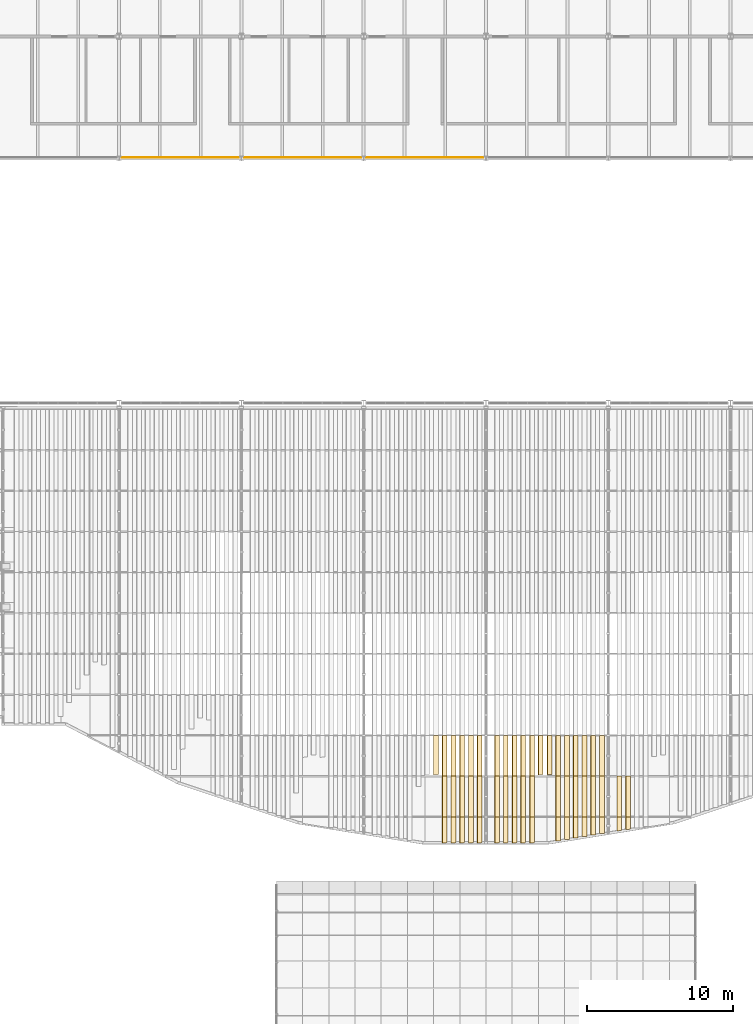
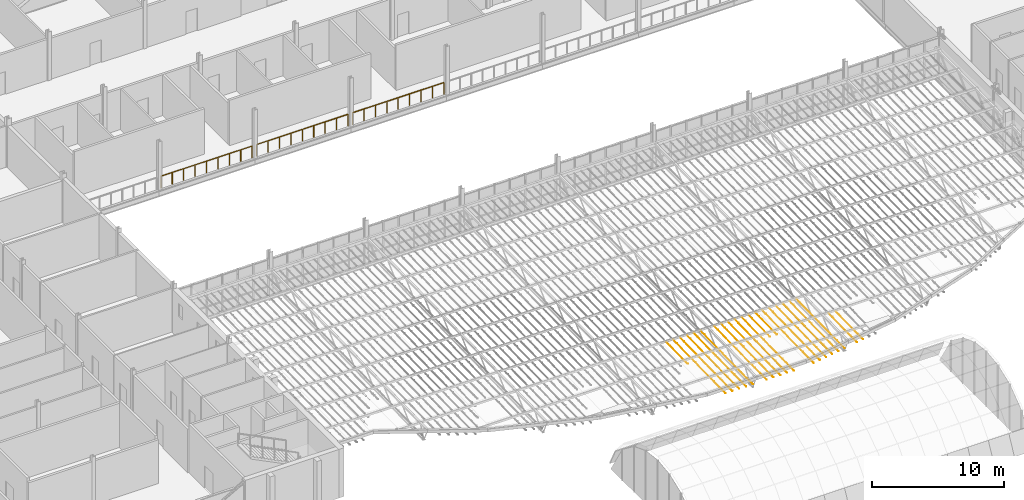
# One storey, part 120 of 129: 55 coverings, 3 railings.
"""IFC4 building model written with IfcOpenShell, lengths in metres."""

from ifc_helpers import new_model, si_unit, direction, frame, origin, origin_2d, place, context, subcontext, project, spatial, polyline, circle, outline, extrude, material, material_profile, profile_set, type_object, element, save


model = new_model("IFC4")

# Units and contexts
model_context = context("Model", 3, precision=1e-05, world=origin(), true_north=direction((0.0, 1.0)))
body_context = subcontext(model_context, "Body", "Model", "MODEL_VIEW")
ifc_project = project(units=[si_unit("LENGTHUNIT", "METRE"), si_unit("AREAUNIT", "SQUARE_METRE"), si_unit("VOLUMEUNIT", "CUBIC_METRE"), si_unit("PLANEANGLEUNIT", "RADIAN"), si_unit("MASSUNIT", "GRAM", prefix="KILO")], contexts=[model_context])

# Site, building, storey
site_placement = place(None, origin())
site = spatial("IfcSite", under=ifc_project, at=site_placement, CompositionType="ELEMENT")
building_placement = place(site_placement, origin())
building = spatial("IfcBuilding", under=site, at=building_placement, Name="Ardhachandra Cancer Care Centre", CompositionType="ELEMENT")
storey_placement = place(building_placement, frame((0.0, 0.0, 4.5)))
storey = spatial("IfcBuildingStorey", under=building, at=storey_placement, Name="L01", CompositionType="ELEMENT", Elevation=4.5)

# Railings
ifc_material_1 = material(Name="Steel E250 (IS 2062)", Category="steel")
railing_type = type_object("IfcRailingType", Name="Guard 1100", PredefinedType="GUARDRAIL", material=ifc_material_1)
for number, where, name in (
    (1, (53.0, 71.47998046875, 0.0), "Gallery guard 2"),
    (2, (61.39990234375, 71.47998046875, 0.0), "Gallery guard 3"),
    (3, (69.800048828125, 71.47998046875, 0.0), "Gallery guard 4"),
):
    element("IfcRailing", number, at=place(storey_placement, frame(where)), inside=storey, type_object=railing_type, Name=name, PredefinedType="GUARDRAIL", context=body_context, shape_type="SweptSolid", body=[
        extrude(circle(Radius=0.02392578125, at=origin_2d()), frame((0.0, 0.0, 1.076171875), z_axis=(1.0, 0.0, 0.0), x_axis=(0.0, 1.0, 0.0)), (0.0, 0.0, 1.0), 8.0),
        extrude(circle(Radius=0.02099609375, at=origin_2d()), origin(), (0.0, 0.0, 1.0), 1.052001953125),
        extrude(circle(Radius=0.02099609375, at=origin_2d()), frame((1.0, 0.0, 0.0)), (0.0, 0.0, 1.0), 1.052001953125),
        extrude(circle(Radius=0.02099609375, at=origin_2d()), frame((2.0, 0.0, 0.0)), (0.0, 0.0, 1.0), 1.052001953125),
        extrude(circle(Radius=0.02099609375, at=origin_2d()), frame((3.0, 0.0, 0.0)), (0.0, 0.0, 1.0), 1.052001953125),
        extrude(circle(Radius=0.02099609375, at=origin_2d()), frame((4.0, 0.0, 0.0)), (0.0, 0.0, 1.0), 1.052001953125),
        extrude(circle(Radius=0.02099609375, at=origin_2d()), frame((5.0, 0.0, 0.0)), (0.0, 0.0, 1.0), 1.052001953125),
        extrude(circle(Radius=0.02099609375, at=origin_2d()), frame((6.0, 0.0, 0.0)), (0.0, 0.0, 1.0), 1.052001953125),
        extrude(circle(Radius=0.02099609375, at=origin_2d()), frame((7.0, 0.0, 0.0)), (0.0, 0.0, 1.0), 1.052001953125),
        extrude(circle(Radius=0.02099609375, at=origin_2d()), frame((8.0, 0.0, 0.0)), (0.0, 0.0, 1.0), 1.052001953125),
    ])

# Coverings
ifc_material_2 = material(Name="Anodised aluminium", Category="aluminium")
ifc_material_profile = material_profile(ifc_material_2, outline(polyline([(-0.01220703125, 0.0), (0.01220703125, 0.0), (0.327392578125, -0.449951171875), (0.302978515625, -0.449951171875), (-0.01220703125, 0.0)])), Name="Louvre fin 450")
ifc_profile_set = profile_set([ifc_material_profile], Name="Anodised aluminium")
covering_type = type_object("IfcCoveringType", Name="Louvre fin 450", PredefinedType="CLADDING", material=ifc_profile_set)
covering_1_placement = place(storey_placement, frame((74.39990234375, 31.77490234375, 2.29541015625), z_axis=(0.0, -0.999800385179, -0.019979734617), x_axis=(1.0, 0.0, 0.0)))
element("IfcCovering", 4, at=covering_1_placement, inside=storey, type_object=covering_type, Name="Louvre fin 50-9", PredefinedType="CLADDING", context=body_context, shape_type="SweptSolid", body=[
    extrude(outline(polyline([(-0.01220703125, 0.0), (0.01220703125, 0.0), (0.327392578125, -0.449951171875), (0.302978515625, -0.449951171875), (-0.01220703125, 0.0)])), origin(), (0.0, 0.0, 1.0), 2.700439453125),
])
covering_2_placement = place(storey_placement, frame((75.0, 31.77490234375, 2.29541015625), z_axis=(0.0, -0.999800686946, -0.019964628297), x_axis=(1.0, 0.0, 0.0)))
element("IfcCovering", 5, at=covering_2_placement, inside=storey, type_object=covering_type, Name="Louvre fin 51-9", PredefinedType="CLADDING", context=body_context, shape_type="SweptSolid", body=[
    extrude(outline(polyline([(-0.01220703125, 0.0), (0.01220703125, 0.0), (0.327392578125, -0.449951171875), (0.302978515625, -0.449951171875), (-0.01220703125, 0.0)])), origin(), (0.0, 0.0, 1.0), 2.80029296875),
])
covering_3_placement = place(storey_placement, frame((75.0, 28.97509765625, 2.239501953125), z_axis=(0.0, -0.999800721691, -0.019962888244), x_axis=(1.0, 0.0, 0.0)))
element("IfcCovering", 6, at=covering_3_placement, inside=storey, type_object=covering_type, Name="Louvre fin 51-10", PredefinedType="CLADDING", context=body_context, shape_type="SweptSolid", body=[
    extrude(outline(polyline([(-0.01220703125, 0.0), (0.01220703125, 0.0), (0.327392578125, -0.449951171875), (0.302978515625, -0.449951171875), (-0.01220703125, 0.0)])), origin(), (0.0, 0.0, 1.0), 2.800537109375),
])
covering_4_placement = place(storey_placement, frame((75.0, 26.175048828125, 2.18359375), z_axis=(0.0, -0.999799180906, -0.020039906701), x_axis=(1.0, 0.0, 0.0)))
element("IfcCovering", 7, at=covering_4_placement, inside=storey, type_object=covering_type, Name="Louvre fin 51-11", PredefinedType="CLADDING", context=body_context, shape_type="SweptSolid", body=[
    extrude(outline(polyline([(-0.01220703125, 0.0), (0.01220703125, 0.0), (0.327392578125, -0.449951171875), (0.302978515625, -0.449951171875), (-0.01220703125, 0.0)])), origin(), (0.0, 0.0, 1.0), 1.778564453125),
])
covering_5_placement = place(storey_placement, frame((75.60009765625, 31.77490234375, 2.29541015625), z_axis=(0.0, -0.999800686946, -0.019964628297), x_axis=(1.0, 0.0, 0.0)))
element("IfcCovering", 8, at=covering_5_placement, inside=storey, type_object=covering_type, Name="Louvre fin 52-9", PredefinedType="CLADDING", context=body_context, shape_type="SweptSolid", body=[
    extrude(outline(polyline([(-0.01220703125, 0.0), (0.01220703125, 0.0), (0.327392578125, -0.449951171875), (0.302978515625, -0.449951171875), (-0.01220703125, 0.0)])), origin(), (0.0, 0.0, 1.0), 2.80029296875),
])
covering_6_placement = place(storey_placement, frame((75.60009765625, 28.97509765625, 2.239501953125), z_axis=(0.0, -0.999800721691, -0.019962888244), x_axis=(1.0, 0.0, 0.0)))
element("IfcCovering", 9, at=covering_6_placement, inside=storey, type_object=covering_type, Name="Louvre fin 52-10", PredefinedType="CLADDING", context=body_context, shape_type="SweptSolid", body=[
    extrude(outline(polyline([(-0.01220703125, 0.0), (0.01220703125, 0.0), (0.327392578125, -0.449951171875), (0.302978515625, -0.449951171875), (-0.01220703125, 0.0)])), origin(), (0.0, 0.0, 1.0), 2.800537109375),
])
covering_7_placement = place(storey_placement, frame((75.60009765625, 26.175048828125, 2.18359375), z_axis=(0.0, -0.999799180906, -0.020039906701), x_axis=(1.0, 0.0, 0.0)))
element("IfcCovering", 10, at=covering_7_placement, inside=storey, type_object=covering_type, Name="Louvre fin 52-11", PredefinedType="CLADDING", context=body_context, shape_type="SweptSolid", body=[
    extrude(outline(polyline([(-0.01220703125, 0.0), (0.01220703125, 0.0), (0.327392578125, -0.449951171875), (0.302978515625, -0.449951171875), (-0.01220703125, 0.0)])), origin(), (0.0, 0.0, 1.0), 1.778564453125),
])
covering_8_placement = place(storey_placement, frame((76.199951171875, 31.77490234375, 2.29541015625), z_axis=(0.0, -0.999800686946, -0.019964628297), x_axis=(1.0, 0.0, 0.0)))
element("IfcCovering", 11, at=covering_8_placement, inside=storey, type_object=covering_type, Name="Louvre fin 53-9", PredefinedType="CLADDING", context=body_context, shape_type="SweptSolid", body=[
    extrude(outline(polyline([(-0.01220703125, 0.0), (0.01220703125, 0.0), (0.327392578125, -0.449951171875), (0.302978515625, -0.449951171875), (-0.01220703125, 0.0)])), origin(), (0.0, 0.0, 1.0), 2.80029296875),
])
covering_9_placement = place(storey_placement, frame((76.199951171875, 28.97509765625, 2.239501953125), z_axis=(0.0, -0.999800721691, -0.019962888244), x_axis=(1.0, 0.0, 0.0)))
element("IfcCovering", 12, at=covering_9_placement, inside=storey, type_object=covering_type, Name="Louvre fin 53-10", PredefinedType="CLADDING", context=body_context, shape_type="SweptSolid", body=[
    extrude(outline(polyline([(-0.01220703125, 0.0), (0.01220703125, 0.0), (0.327392578125, -0.449951171875), (0.302978515625, -0.449951171875), (-0.01220703125, 0.0)])), origin(), (0.0, 0.0, 1.0), 2.800537109375),
])
covering_10_placement = place(storey_placement, frame((76.199951171875, 26.175048828125, 2.18359375), z_axis=(0.0, -0.999799180906, -0.020039906701), x_axis=(1.0, 0.0, 0.0)))
element("IfcCovering", 13, at=covering_10_placement, inside=storey, type_object=covering_type, Name="Louvre fin 53-11", PredefinedType="CLADDING", context=body_context, shape_type="SweptSolid", body=[
    extrude(outline(polyline([(-0.01220703125, 0.0), (0.01220703125, 0.0), (0.327392578125, -0.449951171875), (0.302978515625, -0.449951171875), (-0.01220703125, 0.0)])), origin(), (0.0, 0.0, 1.0), 1.778564453125),
])
covering_11_placement = place(storey_placement, frame((76.800048828125, 31.77490234375, 2.29541015625), z_axis=(0.0, -0.999800686946, -0.019964628297), x_axis=(1.0, 0.0, 0.0)))
element("IfcCovering", 14, at=covering_11_placement, inside=storey, type_object=covering_type, Name="Louvre fin 54-9", PredefinedType="CLADDING", context=body_context, shape_type="SweptSolid", body=[
    extrude(outline(polyline([(-0.01220703125, 0.0), (0.01220703125, 0.0), (0.327392578125, -0.449951171875), (0.302978515625, -0.449951171875), (-0.01220703125, 0.0)])), origin(), (0.0, 0.0, 1.0), 2.80029296875),
])
covering_12_placement = place(storey_placement, frame((76.800048828125, 28.97509765625, 2.239501953125), z_axis=(0.0, -0.999800721691, -0.019962888244), x_axis=(1.0, 0.0, 0.0)))
element("IfcCovering", 15, at=covering_12_placement, inside=storey, type_object=covering_type, Name="Louvre fin 54-10", PredefinedType="CLADDING", context=body_context, shape_type="SweptSolid", body=[
    extrude(outline(polyline([(-0.01220703125, 0.0), (0.01220703125, 0.0), (0.327392578125, -0.449951171875), (0.302978515625, -0.449951171875), (-0.01220703125, 0.0)])), origin(), (0.0, 0.0, 1.0), 2.800537109375),
])
covering_13_placement = place(storey_placement, frame((76.800048828125, 26.175048828125, 2.18359375), z_axis=(0.0, -0.999799180906, -0.020039906701), x_axis=(1.0, 0.0, 0.0)))
element("IfcCovering", 16, at=covering_13_placement, inside=storey, type_object=covering_type, Name="Louvre fin 54-11", PredefinedType="CLADDING", context=body_context, shape_type="SweptSolid", body=[
    extrude(outline(polyline([(-0.01220703125, 0.0), (0.01220703125, 0.0), (0.327392578125, -0.449951171875), (0.302978515625, -0.449951171875), (-0.01220703125, 0.0)])), origin(), (0.0, 0.0, 1.0), 1.778564453125),
])
covering_14_placement = place(storey_placement, frame((77.39990234375, 31.77490234375, 2.29541015625), z_axis=(0.0, -0.999800686946, -0.019964628297), x_axis=(1.0, 0.0, 0.0)))
element("IfcCovering", 17, at=covering_14_placement, inside=storey, type_object=covering_type, Name="Louvre fin 55-9", PredefinedType="CLADDING", context=body_context, shape_type="SweptSolid", body=[
    extrude(outline(polyline([(-0.01220703125, 0.0), (0.01220703125, 0.0), (0.327392578125, -0.449951171875), (0.302978515625, -0.449951171875), (-0.01220703125, 0.0)])), origin(), (0.0, 0.0, 1.0), 2.80029296875),
])
covering_15_placement = place(storey_placement, frame((77.39990234375, 28.97509765625, 2.239501953125), z_axis=(0.0, -0.999800721691, -0.019962888244), x_axis=(1.0, 0.0, 0.0)))
element("IfcCovering", 18, at=covering_15_placement, inside=storey, type_object=covering_type, Name="Louvre fin 55-10", PredefinedType="CLADDING", context=body_context, shape_type="SweptSolid", body=[
    extrude(outline(polyline([(-0.01220703125, 0.0), (0.01220703125, 0.0), (0.327392578125, -0.449951171875), (0.302978515625, -0.449951171875), (-0.01220703125, 0.0)])), origin(), (0.0, 0.0, 1.0), 2.800537109375),
])
covering_16_placement = place(storey_placement, frame((77.39990234375, 26.175048828125, 2.18359375), z_axis=(0.0, -0.999799180906, -0.020039906701), x_axis=(1.0, 0.0, 0.0)))
element("IfcCovering", 19, at=covering_16_placement, inside=storey, type_object=covering_type, Name="Louvre fin 55-11", PredefinedType="CLADDING", context=body_context, shape_type="SweptSolid", body=[
    extrude(outline(polyline([(-0.01220703125, 0.0), (0.01220703125, 0.0), (0.327392578125, -0.449951171875), (0.302978515625, -0.449951171875), (-0.01220703125, 0.0)])), origin(), (0.0, 0.0, 1.0), 1.778564453125),
])
covering_17_placement = place(storey_placement, frame((78.60009765625, 31.77490234375, 2.29541015625), z_axis=(0.0, -0.999800686946, -0.019964628297), x_axis=(1.0, 0.0, 0.0)))
element("IfcCovering", 20, at=covering_17_placement, inside=storey, type_object=covering_type, Name="Louvre fin 57-9", PredefinedType="CLADDING", context=body_context, shape_type="SweptSolid", body=[
    extrude(outline(polyline([(-0.01220703125, 0.0), (0.01220703125, 0.0), (0.327392578125, -0.449951171875), (0.302978515625, -0.449951171875), (-0.01220703125, 0.0)])), origin(), (0.0, 0.0, 1.0), 2.80029296875),
])
covering_18_placement = place(storey_placement, frame((78.60009765625, 28.97509765625, 2.239501953125), z_axis=(0.0, -0.999800721691, -0.019962888244), x_axis=(1.0, 0.0, 0.0)))
element("IfcCovering", 21, at=covering_18_placement, inside=storey, type_object=covering_type, Name="Louvre fin 57-10", PredefinedType="CLADDING", context=body_context, shape_type="SweptSolid", body=[
    extrude(outline(polyline([(-0.01220703125, 0.0), (0.01220703125, 0.0), (0.327392578125, -0.449951171875), (0.302978515625, -0.449951171875), (-0.01220703125, 0.0)])), origin(), (0.0, 0.0, 1.0), 2.800537109375),
])
covering_19_placement = place(storey_placement, frame((78.60009765625, 26.175048828125, 2.18359375), z_axis=(0.0, -0.999799180906, -0.020039906701), x_axis=(1.0, 0.0, 0.0)))
element("IfcCovering", 22, at=covering_19_placement, inside=storey, type_object=covering_type, Name="Louvre fin 57-11", PredefinedType="CLADDING", context=body_context, shape_type="SweptSolid", body=[
    extrude(outline(polyline([(-0.01220703125, 0.0), (0.01220703125, 0.0), (0.327392578125, -0.449951171875), (0.302978515625, -0.449951171875), (-0.01220703125, 0.0)])), origin(), (0.0, 0.0, 1.0), 1.778564453125),
])
covering_20_placement = place(storey_placement, frame((79.199951171875, 31.77490234375, 2.29541015625), z_axis=(0.0, -0.999800686946, -0.019964628297), x_axis=(1.0, 0.0, 0.0)))
element("IfcCovering", 23, at=covering_20_placement, inside=storey, type_object=covering_type, Name="Louvre fin 58-9", PredefinedType="CLADDING", context=body_context, shape_type="SweptSolid", body=[
    extrude(outline(polyline([(-0.01220703125, 0.0), (0.01220703125, 0.0), (0.327392578125, -0.449951171875), (0.302978515625, -0.449951171875), (-0.01220703125, 0.0)])), origin(), (0.0, 0.0, 1.0), 2.80029296875),
])
covering_21_placement = place(storey_placement, frame((79.199951171875, 28.97509765625, 2.239501953125), z_axis=(0.0, -0.999800721691, -0.019962888244), x_axis=(1.0, 0.0, 0.0)))
element("IfcCovering", 24, at=covering_21_placement, inside=storey, type_object=covering_type, Name="Louvre fin 58-10", PredefinedType="CLADDING", context=body_context, shape_type="SweptSolid", body=[
    extrude(outline(polyline([(-0.01220703125, 0.0), (0.01220703125, 0.0), (0.327392578125, -0.449951171875), (0.302978515625, -0.449951171875), (-0.01220703125, 0.0)])), origin(), (0.0, 0.0, 1.0), 2.800537109375),
])
covering_22_placement = place(storey_placement, frame((79.199951171875, 26.175048828125, 2.18359375), z_axis=(0.0, -0.999799180906, -0.020039906701), x_axis=(1.0, 0.0, 0.0)))
element("IfcCovering", 25, at=covering_22_placement, inside=storey, type_object=covering_type, Name="Louvre fin 58-11", PredefinedType="CLADDING", context=body_context, shape_type="SweptSolid", body=[
    extrude(outline(polyline([(-0.01220703125, 0.0), (0.01220703125, 0.0), (0.327392578125, -0.449951171875), (0.302978515625, -0.449951171875), (-0.01220703125, 0.0)])), origin(), (0.0, 0.0, 1.0), 1.778564453125),
])
covering_23_placement = place(storey_placement, frame((79.800048828125, 31.77490234375, 2.29541015625), z_axis=(0.0, -0.999800686946, -0.019964628297), x_axis=(1.0, 0.0, 0.0)))
element("IfcCovering", 26, at=covering_23_placement, inside=storey, type_object=covering_type, Name="Louvre fin 59-9", PredefinedType="CLADDING", context=body_context, shape_type="SweptSolid", body=[
    extrude(outline(polyline([(-0.01220703125, 0.0), (0.01220703125, 0.0), (0.327392578125, -0.449951171875), (0.302978515625, -0.449951171875), (-0.01220703125, 0.0)])), origin(), (0.0, 0.0, 1.0), 2.80029296875),
])
covering_24_placement = place(storey_placement, frame((79.800048828125, 28.97509765625, 2.239501953125), z_axis=(0.0, -0.999800721691, -0.019962888244), x_axis=(1.0, 0.0, 0.0)))
element("IfcCovering", 27, at=covering_24_placement, inside=storey, type_object=covering_type, Name="Louvre fin 59-10", PredefinedType="CLADDING", context=body_context, shape_type="SweptSolid", body=[
    extrude(outline(polyline([(-0.01220703125, 0.0), (0.01220703125, 0.0), (0.327392578125, -0.449951171875), (0.302978515625, -0.449951171875), (-0.01220703125, 0.0)])), origin(), (0.0, 0.0, 1.0), 2.800537109375),
])
covering_25_placement = place(storey_placement, frame((79.800048828125, 26.175048828125, 2.18359375), z_axis=(0.0, -0.999799180906, -0.020039906701), x_axis=(1.0, 0.0, 0.0)))
element("IfcCovering", 28, at=covering_25_placement, inside=storey, type_object=covering_type, Name="Louvre fin 59-11", PredefinedType="CLADDING", context=body_context, shape_type="SweptSolid", body=[
    extrude(outline(polyline([(-0.01220703125, 0.0), (0.01220703125, 0.0), (0.327392578125, -0.449951171875), (0.302978515625, -0.449951171875), (-0.01220703125, 0.0)])), origin(), (0.0, 0.0, 1.0), 1.778564453125),
])
covering_26_placement = place(storey_placement, frame((80.39990234375, 31.77490234375, 2.29541015625), z_axis=(0.0, -0.999800686946, -0.019964628297), x_axis=(1.0, 0.0, 0.0)))
element("IfcCovering", 29, at=covering_26_placement, inside=storey, type_object=covering_type, Name="Louvre fin 60-9", PredefinedType="CLADDING", context=body_context, shape_type="SweptSolid", body=[
    extrude(outline(polyline([(-0.01220703125, 0.0), (0.01220703125, 0.0), (0.327392578125, -0.449951171875), (0.302978515625, -0.449951171875), (-0.01220703125, 0.0)])), origin(), (0.0, 0.0, 1.0), 2.80029296875),
])
covering_27_placement = place(storey_placement, frame((80.39990234375, 28.97509765625, 2.239501953125), z_axis=(0.0, -0.999800721691, -0.019962888244), x_axis=(1.0, 0.0, 0.0)))
element("IfcCovering", 30, at=covering_27_placement, inside=storey, type_object=covering_type, Name="Louvre fin 60-10", PredefinedType="CLADDING", context=body_context, shape_type="SweptSolid", body=[
    extrude(outline(polyline([(-0.01220703125, 0.0), (0.01220703125, 0.0), (0.327392578125, -0.449951171875), (0.302978515625, -0.449951171875), (-0.01220703125, 0.0)])), origin(), (0.0, 0.0, 1.0), 2.800537109375),
])
covering_28_placement = place(storey_placement, frame((80.39990234375, 26.175048828125, 2.18359375), z_axis=(0.0, -0.999799180906, -0.020039906701), x_axis=(1.0, 0.0, 0.0)))
element("IfcCovering", 31, at=covering_28_placement, inside=storey, type_object=covering_type, Name="Louvre fin 60-11", PredefinedType="CLADDING", context=body_context, shape_type="SweptSolid", body=[
    extrude(outline(polyline([(-0.01220703125, 0.0), (0.01220703125, 0.0), (0.327392578125, -0.449951171875), (0.302978515625, -0.449951171875), (-0.01220703125, 0.0)])), origin(), (0.0, 0.0, 1.0), 1.778564453125),
])
covering_29_placement = place(storey_placement, frame((81.0, 31.77490234375, 2.29541015625), z_axis=(0.0, -0.999800686946, -0.019964628297), x_axis=(1.0, 0.0, 0.0)))
element("IfcCovering", 32, at=covering_29_placement, inside=storey, type_object=covering_type, Name="Louvre fin 61-9", PredefinedType="CLADDING", context=body_context, shape_type="SweptSolid", body=[
    extrude(outline(polyline([(-0.01220703125, 0.0), (0.01220703125, 0.0), (0.327392578125, -0.449951171875), (0.302978515625, -0.449951171875), (-0.01220703125, 0.0)])), origin(), (0.0, 0.0, 1.0), 2.80029296875),
])
covering_30_placement = place(storey_placement, frame((81.0, 28.97509765625, 2.239501953125), z_axis=(0.0, -0.999800721691, -0.019962888244), x_axis=(1.0, 0.0, 0.0)))
element("IfcCovering", 33, at=covering_30_placement, inside=storey, type_object=covering_type, Name="Louvre fin 61-10", PredefinedType="CLADDING", context=body_context, shape_type="SweptSolid", body=[
    extrude(outline(polyline([(-0.01220703125, 0.0), (0.01220703125, 0.0), (0.327392578125, -0.449951171875), (0.302978515625, -0.449951171875), (-0.01220703125, 0.0)])), origin(), (0.0, 0.0, 1.0), 2.800537109375),
])
covering_31_placement = place(storey_placement, frame((81.0, 26.175048828125, 2.18359375), z_axis=(0.0, -0.999799180906, -0.020039906701), x_axis=(1.0, 0.0, 0.0)))
element("IfcCovering", 34, at=covering_31_placement, inside=storey, type_object=covering_type, Name="Louvre fin 61-11", PredefinedType="CLADDING", context=body_context, shape_type="SweptSolid", body=[
    extrude(outline(polyline([(-0.01220703125, 0.0), (0.01220703125, 0.0), (0.327392578125, -0.449951171875), (0.302978515625, -0.449951171875), (-0.01220703125, 0.0)])), origin(), (0.0, 0.0, 1.0), 1.778564453125),
])
for number, where, z_axis, x_axis, name in (
    (35, (81.60009765625, 31.77490234375, 2.29541015625), (0.0, -0.999800385179, -0.019979734617), (1.0, 0.0, 0.0), "Louvre fin 62-9"),
    (36, (82.199951171875, 31.77490234375, 2.29541015625), (0.0, -0.999800385179, -0.019979734617), (1.0, 0.0, 0.0), "Louvre fin 63-9"),
):
    element("IfcCovering", number, at=place(storey_placement, frame(where, z_axis=z_axis, x_axis=x_axis)), inside=storey, type_object=covering_type, Name=name, PredefinedType="CLADDING", context=body_context, shape_type="SweptSolid", body=[
        extrude(outline(polyline([(-0.01220703125, 0.0), (0.01220703125, 0.0), (0.327392578125, -0.449951171875), (0.302978515625, -0.449951171875), (-0.01220703125, 0.0)])), origin(), (0.0, 0.0, 1.0), 2.700439453125),
    ])
covering_32_placement = place(storey_placement, frame((82.800048828125, 31.77490234375, 2.29541015625), z_axis=(0.0, -0.999800686946, -0.019964628297), x_axis=(1.0, 0.0, 0.0)))
element("IfcCovering", 37, at=covering_32_placement, inside=storey, type_object=covering_type, Name="Louvre fin 64-9", PredefinedType="CLADDING", context=body_context, shape_type="SweptSolid", body=[
    extrude(outline(polyline([(-0.01220703125, 0.0), (0.01220703125, 0.0), (0.327392578125, -0.449951171875), (0.302978515625, -0.449951171875), (-0.01220703125, 0.0)])), origin(), (0.0, 0.0, 1.0), 2.80029296875),
])
covering_33_placement = place(storey_placement, frame((82.800048828125, 28.97509765625, 2.239501953125), z_axis=(0.0, -0.999800721691, -0.019962888244), x_axis=(1.0, 0.0, 0.0)))
element("IfcCovering", 38, at=covering_33_placement, inside=storey, type_object=covering_type, Name="Louvre fin 64-10", PredefinedType="CLADDING", context=body_context, shape_type="SweptSolid", body=[
    extrude(outline(polyline([(-0.01220703125, 0.0), (0.01220703125, 0.0), (0.327392578125, -0.449951171875), (0.302978515625, -0.449951171875), (-0.01220703125, 0.0)])), origin(), (0.0, 0.0, 1.0), 2.800537109375),
])
covering_34_placement = place(storey_placement, frame((82.800048828125, 26.175048828125, 2.18359375), z_axis=(0.0, -0.999797627695, -0.020117247724), x_axis=(1.0, 0.0, 0.0)))
element("IfcCovering", 39, at=covering_34_placement, inside=storey, type_object=covering_type, Name="Louvre fin 64-11", PredefinedType="CLADDING", context=body_context, shape_type="SweptSolid", body=[
    extrude(outline(polyline([(-0.01220703125, 0.0), (0.01220703125, 0.0), (0.327392578125, -0.449951171875), (0.302978515625, -0.449951171875), (-0.01220703125, 0.0)])), origin(), (0.0, 0.0, 1.0), 1.650390625),
])
covering_35_placement = place(storey_placement, frame((83.39990234375, 31.77490234375, 2.29541015625), z_axis=(0.0, -0.999800686946, -0.019964628297), x_axis=(1.0, 0.0, 0.0)))
element("IfcCovering", 40, at=covering_35_placement, inside=storey, type_object=covering_type, Name="Louvre fin 65-9", PredefinedType="CLADDING", context=body_context, shape_type="SweptSolid", body=[
    extrude(outline(polyline([(-0.01220703125, 0.0), (0.01220703125, 0.0), (0.327392578125, -0.449951171875), (0.302978515625, -0.449951171875), (-0.01220703125, 0.0)])), origin(), (0.0, 0.0, 1.0), 2.80029296875),
])
covering_36_placement = place(storey_placement, frame((83.39990234375, 28.97509765625, 2.239501953125), z_axis=(0.0, -0.999800721691, -0.019962888244), x_axis=(1.0, 0.0, 0.0)))
element("IfcCovering", 41, at=covering_36_placement, inside=storey, type_object=covering_type, Name="Louvre fin 65-10", PredefinedType="CLADDING", context=body_context, shape_type="SweptSolid", body=[
    extrude(outline(polyline([(-0.01220703125, 0.0), (0.01220703125, 0.0), (0.327392578125, -0.449951171875), (0.302978515625, -0.449951171875), (-0.01220703125, 0.0)])), origin(), (0.0, 0.0, 1.0), 2.800537109375),
])
covering_37_placement = place(storey_placement, frame((83.39990234375, 26.175048828125, 2.18359375), z_axis=(0.0, -0.999799997011, -0.019999149413), x_axis=(1.0, 0.0, 0.0)))
element("IfcCovering", 42, at=covering_37_placement, inside=storey, type_object=covering_type, Name="Louvre fin 65-11", PredefinedType="CLADDING", context=body_context, shape_type="SweptSolid", body=[
    extrude(outline(polyline([(-0.01220703125, 0.0), (0.01220703125, 0.0), (0.327392578125, -0.449951171875), (0.302978515625, -0.449951171875), (-0.01220703125, 0.0)])), origin(), (0.0, 0.0, 1.0), 1.55029296875),
])
covering_38_placement = place(storey_placement, frame((84.0, 31.77490234375, 2.29541015625), z_axis=(0.0, -0.999800686946, -0.019964628297), x_axis=(1.0, 0.0, 0.0)))
element("IfcCovering", 43, at=covering_38_placement, inside=storey, type_object=covering_type, Name="Louvre fin 66-9", PredefinedType="CLADDING", context=body_context, shape_type="SweptSolid", body=[
    extrude(outline(polyline([(-0.01220703125, 0.0), (0.01220703125, 0.0), (0.327392578125, -0.449951171875), (0.302978515625, -0.449951171875), (-0.01220703125, 0.0)])), origin(), (0.0, 0.0, 1.0), 2.80029296875),
])
covering_39_placement = place(storey_placement, frame((84.0, 28.97509765625, 2.239501953125), z_axis=(0.0, -0.999800721691, -0.019962888244), x_axis=(1.0, 0.0, 0.0)))
element("IfcCovering", 44, at=covering_39_placement, inside=storey, type_object=covering_type, Name="Louvre fin 66-10", PredefinedType="CLADDING", context=body_context, shape_type="SweptSolid", body=[
    extrude(outline(polyline([(-0.01220703125, 0.0), (0.01220703125, 0.0), (0.327392578125, -0.449951171875), (0.302978515625, -0.449951171875), (-0.01220703125, 0.0)])), origin(), (0.0, 0.0, 1.0), 2.800537109375),
])
covering_40_placement = place(storey_placement, frame((84.0, 26.175048828125, 2.18359375), z_axis=(0.0, -0.999799318874, -0.020033022217), x_axis=(1.0, 0.0, 0.0)))
element("IfcCovering", 45, at=covering_40_placement, inside=storey, type_object=covering_type, Name="Louvre fin 66-11", PredefinedType="CLADDING", context=body_context, shape_type="SweptSolid", body=[
    extrude(outline(polyline([(-0.01220703125, 0.0), (0.01220703125, 0.0), (0.327392578125, -0.449951171875), (0.302978515625, -0.449951171875), (-0.01220703125, 0.0)])), origin(), (0.0, 0.0, 1.0), 1.4501953125),
])
covering_41_placement = place(storey_placement, frame((84.60009765625, 31.77490234375, 2.29541015625), z_axis=(0.0, -0.999800686946, -0.019964628297), x_axis=(1.0, 0.0, 0.0)))
element("IfcCovering", 46, at=covering_41_placement, inside=storey, type_object=covering_type, Name="Louvre fin 67-9", PredefinedType="CLADDING", context=body_context, shape_type="SweptSolid", body=[
    extrude(outline(polyline([(-0.01220703125, 0.0), (0.01220703125, 0.0), (0.327392578125, -0.449951171875), (0.302978515625, -0.449951171875), (-0.01220703125, 0.0)])), origin(), (0.0, 0.0, 1.0), 2.80029296875),
])
covering_42_placement = place(storey_placement, frame((84.60009765625, 28.97509765625, 2.239501953125), z_axis=(0.0, -0.999800721691, -0.019962888244), x_axis=(1.0, 0.0, 0.0)))
element("IfcCovering", 47, at=covering_42_placement, inside=storey, type_object=covering_type, Name="Louvre fin 67-10", PredefinedType="CLADDING", context=body_context, shape_type="SweptSolid", body=[
    extrude(outline(polyline([(-0.01220703125, 0.0), (0.01220703125, 0.0), (0.327392578125, -0.449951171875), (0.302978515625, -0.449951171875), (-0.01220703125, 0.0)])), origin(), (0.0, 0.0, 1.0), 2.800537109375),
])
covering_43_placement = place(storey_placement, frame((84.60009765625, 26.175048828125, 2.18359375), z_axis=(0.0, -0.999798611582, -0.020068290395), x_axis=(1.0, 0.0, 0.0)))
element("IfcCovering", 48, at=covering_43_placement, inside=storey, type_object=covering_type, Name="Louvre fin 67-11", PredefinedType="CLADDING", context=body_context, shape_type="SweptSolid", body=[
    extrude(outline(polyline([(-0.01220703125, 0.0), (0.01220703125, 0.0), (0.327392578125, -0.449951171875), (0.302978515625, -0.449951171875), (-0.01220703125, 0.0)])), origin(), (0.0, 0.0, 1.0), 1.350341796875),
])
covering_44_placement = place(storey_placement, frame((85.199951171875, 31.77490234375, 2.29541015625), z_axis=(0.0, -0.999800686946, -0.019964628297), x_axis=(1.0, 0.0, 0.0)))
element("IfcCovering", 49, at=covering_44_placement, inside=storey, type_object=covering_type, Name="Louvre fin 68-9", PredefinedType="CLADDING", context=body_context, shape_type="SweptSolid", body=[
    extrude(outline(polyline([(-0.01220703125, 0.0), (0.01220703125, 0.0), (0.327392578125, -0.449951171875), (0.302978515625, -0.449951171875), (-0.01220703125, 0.0)])), origin(), (0.0, 0.0, 1.0), 2.80029296875),
])
covering_45_placement = place(storey_placement, frame((85.199951171875, 28.97509765625, 2.239501953125), z_axis=(0.0, -0.999800721691, -0.019962888244), x_axis=(1.0, 0.0, 0.0)))
element("IfcCovering", 50, at=covering_45_placement, inside=storey, type_object=covering_type, Name="Louvre fin 68-10", PredefinedType="CLADDING", context=body_context, shape_type="SweptSolid", body=[
    extrude(outline(polyline([(-0.01220703125, 0.0), (0.01220703125, 0.0), (0.327392578125, -0.449951171875), (0.302978515625, -0.449951171875), (-0.01220703125, 0.0)])), origin(), (0.0, 0.0, 1.0), 2.800537109375),
])
covering_46_placement = place(storey_placement, frame((85.199951171875, 26.175048828125, 2.18359375), z_axis=(0.0, -0.999797710781, -0.02011311801), x_axis=(1.0, 0.0, 0.0)))
element("IfcCovering", 51, at=covering_46_placement, inside=storey, type_object=covering_type, Name="Louvre fin 68-11", PredefinedType="CLADDING", context=body_context, shape_type="SweptSolid", body=[
    extrude(outline(polyline([(-0.01220703125, 0.0), (0.01220703125, 0.0), (0.327392578125, -0.449951171875), (0.302978515625, -0.449951171875), (-0.01220703125, 0.0)])), origin(), (0.0, 0.0, 1.0), 1.250244140625),
])
covering_47_placement = place(storey_placement, frame((85.800048828125, 31.77490234375, 2.29541015625), z_axis=(0.0, -0.999800686946, -0.019964628297), x_axis=(1.0, 0.0, 0.0)))
element("IfcCovering", 52, at=covering_47_placement, inside=storey, type_object=covering_type, Name="Louvre fin 69-9", PredefinedType="CLADDING", context=body_context, shape_type="SweptSolid", body=[
    extrude(outline(polyline([(-0.01220703125, 0.0), (0.01220703125, 0.0), (0.327392578125, -0.449951171875), (0.302978515625, -0.449951171875), (-0.01220703125, 0.0)])), origin(), (0.0, 0.0, 1.0), 2.80029296875),
])
covering_48_placement = place(storey_placement, frame((85.800048828125, 28.97509765625, 2.239501953125), z_axis=(0.0, -0.999800721691, -0.019962888244), x_axis=(1.0, 0.0, 0.0)))
element("IfcCovering", 53, at=covering_48_placement, inside=storey, type_object=covering_type, Name="Louvre fin 69-10", PredefinedType="CLADDING", context=body_context, shape_type="SweptSolid", body=[
    extrude(outline(polyline([(-0.01220703125, 0.0), (0.01220703125, 0.0), (0.327392578125, -0.449951171875), (0.302978515625, -0.449951171875), (-0.01220703125, 0.0)])), origin(), (0.0, 0.0, 1.0), 2.800537109375),
])
covering_49_placement = place(storey_placement, frame((85.800048828125, 26.175048828125, 2.18359375), z_axis=(0.0, -0.999796736885, -0.020161471026), x_axis=(1.0, 0.0, 0.0)))
element("IfcCovering", 54, at=covering_49_placement, inside=storey, type_object=covering_type, Name="Louvre fin 69-11", PredefinedType="CLADDING", context=body_context, shape_type="SweptSolid", body=[
    extrude(outline(polyline([(-0.01220703125, 0.0), (0.01220703125, 0.0), (0.327392578125, -0.449951171875), (0.302978515625, -0.449951171875), (-0.01220703125, 0.0)])), origin(), (0.0, 0.0, 1.0), 1.150390625),
])
covering_50_placement = place(storey_placement, frame((87.0, 28.97509765625, 2.239501953125), z_axis=(0.0, -0.999800721691, -0.019962888244), x_axis=(1.0, 0.0, 0.0)))
element("IfcCovering", 55, at=covering_50_placement, inside=storey, type_object=covering_type, Name="Louvre fin 71-10", PredefinedType="CLADDING", context=body_context, shape_type="SweptSolid", body=[
    extrude(outline(polyline([(-0.01220703125, 0.0), (0.01220703125, 0.0), (0.327392578125, -0.449951171875), (0.302978515625, -0.449951171875), (-0.01220703125, 0.0)])), origin(), (0.0, 0.0, 1.0), 2.800537109375),
])
covering_51_placement = place(storey_placement, frame((87.0, 26.175048828125, 2.18359375), z_axis=(0.0, -0.999799134255, -0.020042233994), x_axis=(1.0, 0.0, 0.0)))
element("IfcCovering", 56, at=covering_51_placement, inside=storey, type_object=covering_type, Name="Louvre fin 71-11", PredefinedType="CLADDING", context=body_context, shape_type="SweptSolid", body=[
    extrude(outline(polyline([(-0.01220703125, 0.0), (0.01220703125, 0.0), (0.327392578125, -0.449951171875), (0.302978515625, -0.449951171875), (-0.01220703125, 0.0)])), origin(), (0.0, 0.0, 1.0), 0.9501953125),
])
covering_52_placement = place(storey_placement, frame((87.60009765625, 28.97509765625, 2.239501953125), z_axis=(0.0, -0.999800721691, -0.019962888244), x_axis=(1.0, 0.0, 0.0)))
element("IfcCovering", 57, at=covering_52_placement, inside=storey, type_object=covering_type, Name="Louvre fin 72-10", PredefinedType="CLADDING", context=body_context, shape_type="SweptSolid", body=[
    extrude(outline(polyline([(-0.01220703125, 0.0), (0.01220703125, 0.0), (0.327392578125, -0.449951171875), (0.302978515625, -0.449951171875), (-0.01220703125, 0.0)])), origin(), (0.0, 0.0, 1.0), 2.800537109375),
])
covering_53_placement = place(storey_placement, frame((87.60009765625, 26.175048828125, 2.18359375), z_axis=(0.0, -0.999797988108, -0.020099327733), x_axis=(1.0, 0.0, 0.0)))
element("IfcCovering", 58, at=covering_53_placement, inside=storey, type_object=covering_type, Name="Louvre fin 72-11", PredefinedType="CLADDING", context=body_context, shape_type="SweptSolid", body=[
    extrude(outline(polyline([(-0.01220703125, 0.0), (0.01220703125, 0.0), (0.327392578125, -0.449951171875), (0.302978515625, -0.449951171875), (-0.01220703125, 0.0)])), origin(), (0.0, 0.0, 1.0), 0.850341796875),
])

save(model, "model.ifc")
